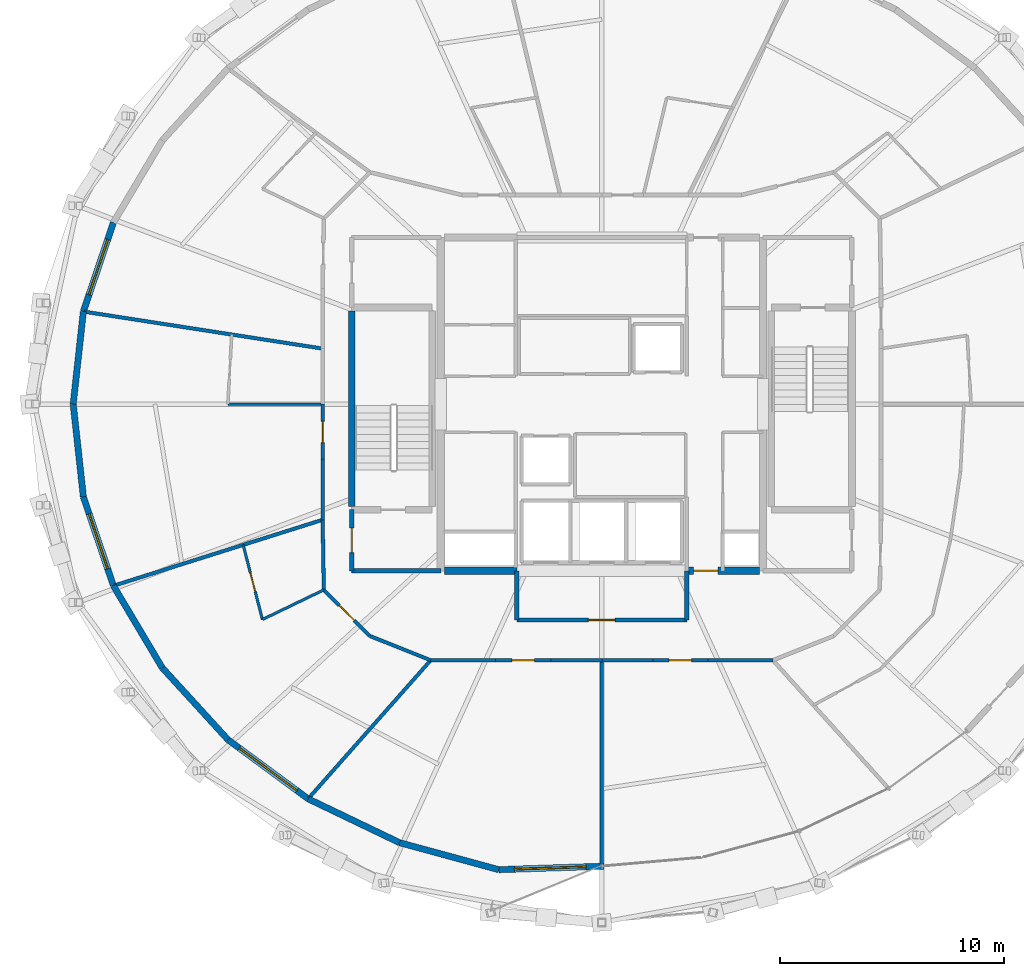
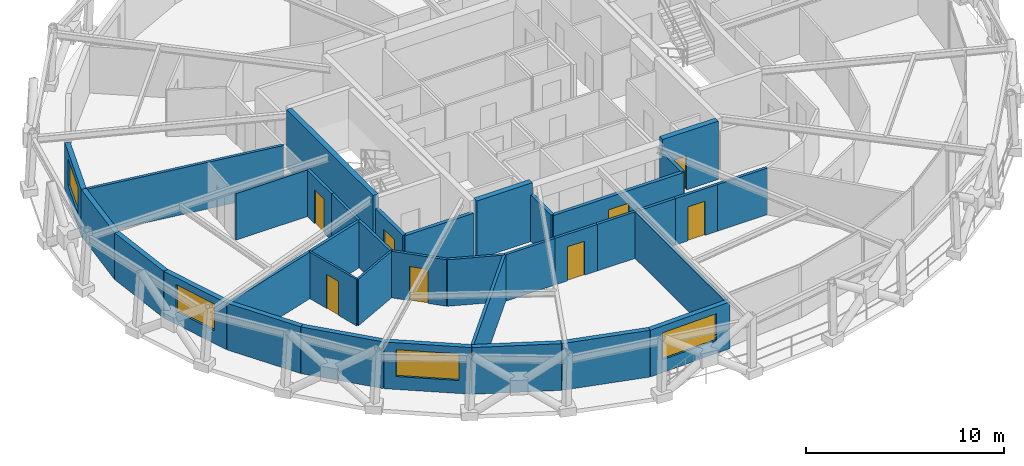
# One storey, part 12 of 17: 36 walls, 8 doors, 4 windows, 12 openings.
"""IFC4 building model written with IfcOpenShell, lengths in metres."""

from ifc_helpers import new_model, si_unit, direction, frame, frame_2d, origin, place, context, subcontext, project, spatial, rectangle, extrude, material, layer, layer_set, type_object, element, fill, save


model = new_model("IFC4")

# Units and contexts
model_context = context("Model", 3, precision=1e-05, world=origin(), true_north=direction((0.0, 1.0)))
body_context = subcontext(model_context, "Body", "Model", "MODEL_VIEW")
ifc_project = project(units=[si_unit("LENGTHUNIT", "METRE"), si_unit("AREAUNIT", "SQUARE_METRE"), si_unit("VOLUMEUNIT", "CUBIC_METRE"), si_unit("PLANEANGLEUNIT", "RADIAN"), si_unit("MASSUNIT", "GRAM", prefix="KILO")], contexts=[model_context])

# Site, building, storey
site_placement = place(None, origin())
site = spatial("IfcSite", under=ifc_project, at=site_placement, CompositionType="ELEMENT")
building_placement = place(site_placement, origin())
building = spatial("IfcBuilding", under=site, at=building_placement, Name="Veldorina Hangang Commons", CompositionType="ELEMENT")
storey_placement = place(building_placement, frame((0.0, 0.0, 214.800048828125)))
storey = spatial("IfcBuildingStorey", under=building, at=storey_placement, Name="L55", CompositionType="ELEMENT", Elevation=214.800048828125)

# Wall
ifc_material_1 = material(Name="Concrete C50/60", Category="concrete")
ifc_layer_1 = layer(ifc_material_1, 0.320068359375)
ifc_layer_set_1 = layer_set([ifc_layer_1], Name="Concrete C50/60")
wall_type_1 = type_object("IfcWallType", Name="CW-RC320-C50", PredefinedType="SHEAR", material=ifc_layer_set_1)
wall_1_placement = place(storey_placement, frame((24.9599609375, 16.550048828125, 0.0), z_axis=(0.0, 0.0, 1.0), x_axis=(1.0, 0.0, 0.0)))
element("IfcWall", 1, at=wall_1_placement, inside=storey, type_object=wall_type_1, Name="L55 south-west core shear wall", PredefinedType="SHEAR", context=body_context, shape_type="SweptSolid", body=[
    extrude(rectangle(XDim=3.239990234375, YDim=0.320068359375, at=frame_2d((1.6201171875, 0.0))), origin(), (0.0, 0.0, 1.0), 3.599853515625),
])

# Wall, opening, door
wall_2_placement = place(storey_placement, frame((35.800048828125, 16.550048828125, 0.0), z_axis=(0.0, 0.0, 1.0), x_axis=(1.0, 0.0, 0.0)))
wall_2 = element("IfcWall", 2, at=wall_2_placement, inside=storey, type_object=wall_type_1, Name="L55 south-east core shear wall", PredefinedType="SHEAR", context=body_context, shape_type="SweptSolid", body=[
    extrude(rectangle(XDim=3.239990234375, YDim=0.320068359375, at=frame_2d((1.6201171875, 0.0))), origin(), (0.0, 0.0, 1.0), 3.599853515625),
])
opening_1_placement = place(wall_2_placement, frame((0.300048828125, 0.0, 0.0)))
opening_1 = element("IfcOpeningElement", 3, at=opening_1_placement, cuts=wall_2, Name="Opening D-08", PredefinedType="OPENING", context=body_context, shape_type="SweptSolid", body=[
    extrude(rectangle(XDim=1.10009765625, YDim=2.10009765625, at=frame_2d((0.550048828125, 1.050048828125))), frame((0.0, 0.169921875, 0.0), z_axis=(0.0, -1.0, 0.0), x_axis=(1.0, 0.0, 0.0)), (0.0, 0.0, 1.0), 0.340087890625),
])
ifc_material_2 = material(Name="Steel Fire-Rated Smoke Seal", Category="steel")
door_type_1 = type_object("IfcDoorType", Name="DR-FIRE-1100", OperationType="SINGLE_SWING_RIGHT", PredefinedType="DOOR", material=ifc_material_2)
door_1_placement = place(opening_1_placement, origin())
door_1 = element("IfcDoor", 4, at=door_1_placement, inside=storey, type_object=door_type_1, Name="L55 central lift lobby south corridor door", OperationType="SINGLE_SWING_RIGHT", OverallHeight=2.10009765625, OverallWidth=1.10009765625, PredefinedType="DOOR", context=body_context, shape_type="SweptSolid", body=[
    extrude(rectangle(XDim=1.10009765625, YDim=2.10009765625, at=frame_2d((0.550048828125, 1.050048828125))), frame((0.0, 0.02490234375, 0.0), z_axis=(0.0, -1.0, 0.0), x_axis=(1.0, 0.0, 0.0)), (0.0, 0.0, 1.0), 0.050048828125),
])
fill(opening_1, door_1)

# Wall, opening, window
ifc_material_3 = material(Name="Stone Roman Travertine", Category="masonry")
ifc_layer_2 = layer(ifc_material_3, 0.280029296875)
ifc_layer_set_2 = layer_set([ifc_layer_2], Name="Stone Roman Travertine")
wall_type_2 = type_object("IfcWallType", Name="EW-TRAV-280", PredefinedType="STANDARD", material=ifc_layer_set_2)
wall_3_placement = place(storey_placement, frame((10.168701171875, 32.1201171875, 0.0), z_axis=(0.0, 0.0, 1.0), x_axis=(-0.320060327551, -0.947397164197, 0.0)))
wall_3 = element("IfcWall", 5, at=wall_3_placement, inside=storey, type_object=wall_type_2, Name="L55 travertine facade wall 14", PredefinedType="STANDARD", context=body_context, shape_type="SweptSolid", body=[
    extrude(rectangle(XDim=4.201416015625, YDim=0.280029296875, at=frame_2d((2.1005859375, 0.0))), origin(), (0.0, 0.0, 1.0), 2.8798828125),
])
opening_2_placement = place(wall_3_placement, frame((0.80078125, 0.0, 0.800048828125)))
opening_2 = element("IfcOpeningElement", 6, at=opening_2_placement, cuts=wall_3, Name="Opening W-02", PredefinedType="OPENING", context=body_context, shape_type="SweptSolid", body=[
    extrude(rectangle(XDim=2.60009765625, YDim=1.64990234375, at=frame_2d((1.300048828125, 0.824951171875))), frame((0.0, 0.14990234375, 0.0), z_axis=(0.0, -1.0, 0.0), x_axis=(1.0, 0.0, 0.0)), (0.0, 0.0, 1.0), 0.300048828125),
])
ifc_material_4 = material(Name="Glass Low-E Triple IGU", Category="glass")
window_type_1 = type_object("IfcWindowType", Name="WIN-TWR-2600", PartitioningType="SINGLE_PANEL", PredefinedType="WINDOW", material=ifc_material_4)
window_1_placement = place(opening_2_placement, origin())
window_1 = element("IfcWindow", 7, at=window_1_placement, inside=storey, type_object=window_type_1, Name="L55 facade window 14", OverallHeight=1.64990234375, OverallWidth=2.60009765625, PartitioningType="SINGLE_PANEL", PredefinedType="WINDOW", context=body_context, shape_type="SweptSolid", body=[
    extrude(rectangle(XDim=2.60009765625, YDim=1.64990234375, at=frame_2d((1.300048828125, 0.824951171875))), frame((0.0, 0.030029296875, 0.0), z_axis=(0.0, -1.0, 0.0), x_axis=(1.0, 0.0, 0.0)), (0.0, 0.0, 1.0), 0.06005859375),
])
fill(opening_2, window_1)

# Walls
for number, where, z_axis, x_axis, name in (
    (8, (8.823974609375, 28.1396484375, 0.0), (0.0, 0.0, 1.0), (-0.108983660244, -0.994043541199, 0.0), "L55 travertine facade wall 15"),
    (9, (8.3701171875, 24.0, 0.0), (0.0, 0.0, 1.0), (0.108983660244, -0.994043541199, 0.0), "L55 travertine facade wall 16"),
):
    element("IfcWall", number, at=place(storey_placement, frame(where, z_axis=z_axis, x_axis=x_axis)), inside=storey, type_object=wall_type_2, Name=name, PredefinedType="STANDARD", context=body_context, shape_type="SweptSolid", body=[
        extrude(rectangle(XDim=4.16455078125, YDim=0.280029296875, at=frame_2d((2.082275390625, 0.0))), origin(), (0.0, 0.0, 1.0), 2.8798828125),
    ])

# Wall, opening, window
wall_4_placement = place(storey_placement, frame((8.823974609375, 19.8603515625, 0.0), z_axis=(0.0, 0.0, 1.0), x_axis=(0.320060327551, -0.947397164197, 0.0)))
wall_4 = element("IfcWall", 10, at=wall_4_placement, inside=storey, type_object=wall_type_2, Name="L55 travertine facade wall 17", PredefinedType="STANDARD", context=body_context, shape_type="SweptSolid", body=[
    extrude(rectangle(XDim=4.201416015625, YDim=0.280029296875, at=frame_2d((2.1005859375, 0.0))), origin(), (0.0, 0.0, 1.0), 2.8798828125),
])
opening_3_placement = place(wall_4_placement, frame((0.80078125, 0.0, 0.800048828125)))
opening_3 = element("IfcOpeningElement", 11, at=opening_3_placement, cuts=wall_4, Name="Opening W-02", PredefinedType="OPENING", context=body_context, shape_type="SweptSolid", body=[
    extrude(rectangle(XDim=2.60009765625, YDim=1.64990234375, at=frame_2d((1.300048828125, 0.824951171875))), frame((0.0, 0.14990234375, 0.0), z_axis=(0.0, -1.0, 0.0), x_axis=(1.0, 0.0, 0.0)), (0.0, 0.0, 1.0), 0.300048828125),
])
window_2_placement = place(opening_3_placement, origin())
window_2 = element("IfcWindow", 12, at=window_2_placement, inside=storey, type_object=window_type_1, Name="L55 facade window 17", OverallHeight=1.64990234375, OverallWidth=2.60009765625, PartitioningType="SINGLE_PANEL", PredefinedType="WINDOW", context=body_context, shape_type="SweptSolid", body=[
    extrude(rectangle(XDim=2.60009765625, YDim=1.64990234375, at=frame_2d((1.300048828125, 0.824951171875))), frame((0.0, 0.030029296875, 0.0), z_axis=(0.0, -1.0, 0.0), x_axis=(1.0, 0.0, 0.0)), (0.0, 0.0, 1.0), 0.06005859375),
])
fill(opening_3, window_2)

# Walls
wall_5_placement = place(storey_placement, frame((10.168701171875, 15.8798828125, 0.0), z_axis=(0.0, 0.0, 1.0), x_axis=(0.511481849, -0.859294081292, 0.0)))
element("IfcWall", 13, at=wall_5_placement, inside=storey, type_object=wall_type_2, Name="L55 travertine facade wall 18", PredefinedType="STANDARD", context=body_context, shape_type="SweptSolid", body=[
    extrude(rectangle(XDim=4.26904296875, YDim=0.280029296875, at=frame_2d((2.134521484375, 0.0))), origin(), (0.0, 0.0, 1.0), 2.8798828125),
])
wall_6_placement = place(storey_placement, frame((12.352294921875, 12.21142578125, 0.0), z_axis=(0.0, 0.0, 1.0), x_axis=(0.674642715371, -0.73814443478, 0.0)))
element("IfcWall", 14, at=wall_6_placement, inside=storey, type_object=wall_type_2, Name="L55 travertine facade wall 19", PredefinedType="STANDARD", context=body_context, shape_type="SweptSolid", body=[
    extrude(rectangle(XDim=4.35595703125, YDim=0.280029296875, at=frame_2d((2.177978515625, 0.0))), origin(), (0.0, 0.0, 1.0), 2.8798828125),
])

# Wall, opening, window
wall_7_placement = place(storey_placement, frame((15.291015625, 8.99609375, 0.0), z_axis=(0.0, 0.0, 1.0), x_axis=(0.8050103103, -0.593260819801, 0.0)))
wall_7 = element("IfcWall", 15, at=wall_7_placement, inside=storey, type_object=wall_type_2, Name="L55 travertine facade wall 20", PredefinedType="STANDARD", context=body_context, shape_type="SweptSolid", body=[
    extrude(rectangle(XDim=4.4482421875, YDim=0.280029296875, at=frame_2d((2.22412109375, 0.0))), origin(), (0.0, 0.0, 1.0), 2.8798828125),
])
opening_4_placement = place(wall_7_placement, frame((0.6240234375, 0.0, 0.800048828125)))
opening_4 = element("IfcOpeningElement", 16, at=opening_4_placement, cuts=wall_7, Name="Opening W-01", PredefinedType="OPENING", context=body_context, shape_type="SweptSolid", body=[
    extrude(rectangle(XDim=3.199951171875, YDim=1.64990234375, at=frame_2d((1.60009765625, 0.824951171875))), frame((0.0, 0.14990234375, 0.0), z_axis=(0.0, -1.0, 0.0), x_axis=(1.0, 0.0, 0.0)), (0.0, 0.0, 1.0), 0.300048828125),
])
window_type_2 = type_object("IfcWindowType", Name="WIN-TWR-3200", PartitioningType="SINGLE_PANEL", PredefinedType="WINDOW", material=ifc_material_4)
window_3_placement = place(opening_4_placement, origin())
window_3 = element("IfcWindow", 17, at=window_3_placement, inside=storey, type_object=window_type_2, Name="L55 facade window 20", OverallHeight=1.64990234375, OverallWidth=3.199951171875, PartitioningType="SINGLE_PANEL", PredefinedType="WINDOW", context=body_context, shape_type="SweptSolid", body=[
    extrude(rectangle(XDim=3.199951171875, YDim=1.64990234375, at=frame_2d((1.60009765625, 0.824951171875))), frame((0.0, 0.030029296875, 0.0), z_axis=(0.0, -1.0, 0.0), x_axis=(1.0, 0.0, 0.0)), (0.0, 0.0, 1.0), 0.06005859375),
])
fill(opening_4, window_3)

# Walls
wall_8_placement = place(storey_placement, frame((18.871826171875, 6.357177734375, 0.0), z_axis=(0.0, 0.0, 1.0), x_axis=(0.90155079899, -0.432673267999, 0.0)))
element("IfcWall", 18, at=wall_8_placement, inside=storey, type_object=wall_type_2, Name="L55 travertine facade wall 21", PredefinedType="STANDARD", context=body_context, shape_type="SweptSolid", body=[
    extrude(rectangle(XDim=4.531494140625, YDim=0.280029296875, at=frame_2d((2.265625, 0.0))), origin(), (0.0, 0.0, 1.0), 2.8798828125),
])
wall_9_placement = place(storey_placement, frame((22.957275390625, 4.396484375, 0.0), z_axis=(0.0, 0.0, 1.0), x_axis=(0.964839814396, -0.26283860553, 0.0)))
element("IfcWall", 19, at=wall_9_placement, inside=storey, type_object=wall_type_2, Name="L55 travertine facade wall 22", PredefinedType="STANDARD", context=body_context, shape_type="SweptSolid", body=[
    extrude(rectangle(XDim=4.59423828125, YDim=0.280029296875, at=frame_2d((2.297119140625, 0.0))), origin(), (0.0, 0.0, 1.0), 2.8798828125),
])

# Wall, opening, window
wall_10_placement = place(storey_placement, frame((27.389892578125, 3.18896484375, 0.0), z_axis=(0.0, 0.0, 1.0), x_axis=(0.9994551691, 0.033005529236, 0.0)))
wall_10 = element("IfcWall", 20, at=wall_10_placement, inside=storey, type_object=wall_type_2, Name="L55 travertine facade wall 23", PredefinedType="STANDARD", context=body_context, shape_type="SweptSolid", body=[
    extrude(rectangle(XDim=4.704345703125, YDim=0.280029296875, at=frame_2d((2.35205078125, 0.0))), origin(), (0.0, 0.0, 1.0), 2.8798828125),
])
opening_5_placement = place(wall_10_placement, frame((0.706298828125, 0.0, 0.800048828125)))
opening_5 = element("IfcOpeningElement", 21, at=opening_5_placement, cuts=wall_10, Name="Opening W-01", PredefinedType="OPENING", context=body_context, shape_type="SweptSolid", body=[
    extrude(rectangle(XDim=3.199951171875, YDim=1.64990234375, at=frame_2d((1.60009765625, 0.824951171875))), frame((0.0, 0.14990234375, 0.0), z_axis=(0.0, -1.0, 0.0), x_axis=(1.0, 0.0, 0.0)), (0.0, 0.0, 1.0), 0.300048828125),
])
window_4_placement = place(opening_5_placement, origin())
window_4 = element("IfcWindow", 22, at=window_4_placement, inside=storey, type_object=window_type_2, Name="L55 facade window 23", OverallHeight=1.64990234375, OverallWidth=3.199951171875, PartitioningType="SINGLE_PANEL", PredefinedType="WINDOW", context=body_context, shape_type="SweptSolid", body=[
    extrude(rectangle(XDim=3.199951171875, YDim=1.64990234375, at=frame_2d((1.60009765625, 0.824951171875))), frame((0.0, 0.030029296875, 0.0), z_axis=(0.0, -1.0, 0.0), x_axis=(1.0, 0.0, 0.0)), (0.0, 0.0, 1.0), 0.06005859375),
])
fill(opening_5, window_4)

# Wall
ifc_layer_3 = layer(ifc_material_1, 0.300048828125)
ifc_layer_set_3 = layer_set([ifc_layer_3], Name="Concrete C50/60")
wall_type_3 = type_object("IfcWallType", Name="SW-STAIR-300", PredefinedType="SHEAR", material=ifc_layer_set_3)
wall_11_placement = place(storey_placement, frame((20.820068359375, 19.429931640625, 0.0), z_axis=(0.0, 0.0, 1.0), x_axis=(0.0, 1.0, 0.0)))
element("IfcWall", 23, at=wall_11_placement, inside=storey, type_object=wall_type_3, Name="L55 ST1 outer stair shear wall", PredefinedType="SHEAR", context=body_context, shape_type="SweptSolid", body=[
    extrude(rectangle(XDim=8.739990234375, YDim=0.300048828125, at=frame_2d((4.3701171875, 0.0))), origin(), (0.0, 0.0, 1.0), 3.599853515625),
])

# Wall, opening, door
ifc_material_5 = material(Name="Gypsum Fire-Rated Twin Stud Wall", Category="gypsum")
ifc_layer_4 = layer(ifc_material_5, 0.159912109375)
ifc_layer_set_4 = layer_set([ifc_layer_4], Name="Gypsum Fire-Rated Twin Stud Wall")
wall_type_4 = type_object("IfcWallType", Name="WL-FIRE-160", PredefinedType="SOLIDWALL", material=ifc_layer_set_4)
wall_12_placement = place(storey_placement, frame((19.52001953125, 24.0, 0.0), z_axis=(0.0, 0.0, 1.0), x_axis=(0.0, -1.0, 0.0)))
wall_12 = element("IfcWall", 24, at=wall_12_placement, inside=storey, type_object=wall_type_4, Name="L55 Compact collar outer wall 16 068", PredefinedType="SOLIDWALL", context=body_context, shape_type="SweptSolid", body=[
    extrude(rectangle(XDim=2.482421875, YDim=0.159912109375, at=frame_2d((1.2412109375, 0.0))), origin(), (0.0, 0.0, 1.0), 2.869873046875),
])
opening_6_placement = place(wall_12_placement, frame((0.76611328125, 0.0, 0.0)))
opening_6 = element("IfcOpeningElement", 25, at=opening_6_placement, cuts=wall_12, Name="Opening D-03", PredefinedType="OPENING", context=body_context, shape_type="SweptSolid", body=[
    extrude(rectangle(XDim=0.949951171875, YDim=2.10009765625, at=frame_2d((0.47509765625, 1.050048828125))), frame((0.0, 0.08984375, 0.0), z_axis=(0.0, -1.0, 0.0), x_axis=(1.0, 0.0, 0.0)), (0.0, 0.0, 1.0), 0.179931640625),
])
ifc_material_6 = material(Name="Timber Fire-Rated Entrance Core", Category="wood")
door_type_2 = type_object("IfcDoorType", Name="DR-UNIT-950", OperationType="SINGLE_SWING_RIGHT", PredefinedType="DOOR", material=ifc_material_6)
door_2_placement = place(opening_6_placement, origin())
door_2 = element("IfcDoor", 26, at=door_2_placement, inside=storey, type_object=door_type_2, Name="L55 Studio 7 entrance door 033", OperationType="SINGLE_SWING_LEFT", OverallHeight=2.10009765625, OverallWidth=0.949951171875, PredefinedType="DOOR", context=body_context, shape_type="SweptSolid", body=[
    extrude(rectangle(XDim=0.949951171875, YDim=2.10009765625, at=frame_2d((0.47509765625, 1.050048828125))), frame((0.0, 0.02490234375, 0.0), z_axis=(0.0, -1.0, 0.0), x_axis=(1.0, 0.0, 0.0)), (0.0, 0.0, 1.0), 0.050048828125),
])
fill(opening_6, door_2)

# Walls
wall_13_placement = place(storey_placement, frame((19.52001953125, 21.517578125, 0.0), z_axis=(0.0, 0.0, 1.0), x_axis=(0.0, -1.0, 0.0)))
element("IfcWall", 27, at=wall_13_placement, inside=storey, type_object=wall_type_4, Name="L55 Compact collar outer wall 17 069", PredefinedType="SOLIDWALL", context=body_context, shape_type="SweptSolid", body=[
    extrude(rectangle(XDim=2.68701171875, YDim=0.159912109375, at=frame_2d((1.343505859375, 0.0))), origin(), (0.0, 0.0, 1.0), 2.869873046875),
])
wall_14_placement = place(storey_placement, frame((19.52001953125, 18.83056640625, 0.0), z_axis=(0.0, 0.0, 1.0), x_axis=(0.016981035134, -0.999855811828, 0.0)))
element("IfcWall", 28, at=wall_14_placement, inside=storey, type_object=wall_type_4, Name="L55 Compact collar outer wall 18 070", PredefinedType="SOLIDWALL", context=body_context, shape_type="SweptSolid", body=[
    extrude(rectangle(XDim=3.13427734375, YDim=0.159912109375, at=frame_2d((1.567138671875, 0.0))), origin(), (0.0, 0.0, 1.0), 2.869873046875),
])

# Wall, opening, door
wall_15_placement = place(storey_placement, frame((19.5732421875, 15.69677734375, 0.0), z_axis=(0.0, 0.0, 1.0), x_axis=(0.707106781187, -0.707106781187, 0.0)))
wall_15 = element("IfcWall", 29, at=wall_15_placement, inside=storey, type_object=wall_type_4, Name="L55 Compact collar outer wall 19 071", PredefinedType="SOLIDWALL", context=body_context, shape_type="SweptSolid", body=[
    extrude(rectangle(XDim=2.915771484375, YDim=0.159912109375, at=frame_2d((1.4580078125, 0.0))), origin(), (0.0, 0.0, 1.0), 2.869873046875),
])
opening_7_placement = place(wall_15_placement, frame((0.98291015625, 0.0, 0.0)))
opening_7 = element("IfcOpeningElement", 30, at=opening_7_placement, cuts=wall_15, Name="Opening D-03", PredefinedType="OPENING", context=body_context, shape_type="SweptSolid", body=[
    extrude(rectangle(XDim=0.949951171875, YDim=2.10009765625, at=frame_2d((0.47509765625, 1.050048828125))), frame((0.0, 0.08984375, 0.0), z_axis=(0.0, -1.0, 0.0), x_axis=(1.0, 0.0, 0.0)), (0.0, 0.0, 1.0), 0.179931640625),
])
door_3_placement = place(opening_7_placement, origin())
door_3 = element("IfcDoor", 31, at=door_3_placement, inside=storey, type_object=door_type_2, Name="L55 Studio 8 entrance door 035", OperationType="SINGLE_SWING_LEFT", OverallHeight=2.10009765625, OverallWidth=0.949951171875, PredefinedType="DOOR", context=body_context, shape_type="SweptSolid", body=[
    extrude(rectangle(XDim=0.949951171875, YDim=2.10009765625, at=frame_2d((0.47509765625, 1.050048828125))), frame((0.0, 0.02490234375, 0.0), z_axis=(0.0, -1.0, 0.0), x_axis=(1.0, 0.0, 0.0)), (0.0, 0.0, 1.0), 0.050048828125),
])
fill(opening_7, door_3)

# Walls
wall_16_placement = place(storey_placement, frame((21.635009765625, 13.635009765625, 0.0), z_axis=(0.0, 0.0, 1.0), x_axis=(0.92856882165, -0.371160266542, 0.0)))
element("IfcWall", 32, at=wall_16_placement, inside=storey, type_object=wall_type_4, Name="L55 Compact collar outer wall 20 072", PredefinedType="SOLIDWALL", context=body_context, shape_type="SweptSolid", body=[
    extrude(rectangle(XDim=2.923095703125, YDim=0.159912109375, at=frame_2d((1.46142578125, 0.0))), origin(), (0.0, 0.0, 1.0), 2.869873046875),
])
wall_17_placement = place(storey_placement, frame((24.349365234375, 12.550048828125, 0.0), z_axis=(0.0, 0.0, 1.0), x_axis=(1.0, 0.0, 0.0)))
element("IfcWall", 33, at=wall_17_placement, inside=storey, type_object=wall_type_4, Name="L55 Compact collar outer wall 21 073", PredefinedType="SOLIDWALL", context=body_context, shape_type="SweptSolid", body=[
    extrude(rectangle(XDim=2.907958984375, YDim=0.159912109375, at=frame_2d((1.4541015625, 0.0))), origin(), (0.0, 0.0, 1.0), 2.869873046875),
])

# Wall, opening, door
wall_18_placement = place(storey_placement, frame((27.25732421875, 12.550048828125, 0.0), z_axis=(0.0, 0.0, 1.0), x_axis=(1.0, 0.0, 0.0)))
wall_18 = element("IfcWall", 34, at=wall_18_placement, inside=storey, type_object=wall_type_4, Name="L55 Compact collar outer wall 22 074", PredefinedType="SOLIDWALL", context=body_context, shape_type="SweptSolid", body=[
    extrude(rectangle(XDim=2.465087890625, YDim=0.159912109375, at=frame_2d((1.232421875, 0.0))), origin(), (0.0, 0.0, 1.0), 2.869873046875),
])
opening_8_placement = place(wall_18_placement, frame((0.732666015625, 0.0, 0.0)))
opening_8 = element("IfcOpeningElement", 35, at=opening_8_placement, cuts=wall_18, Name="Opening D-05", PredefinedType="OPENING", context=body_context, shape_type="SweptSolid", body=[
    extrude(rectangle(XDim=1.0, YDim=2.10009765625, at=frame_2d((0.5, 1.050048828125))), frame((0.0, 0.08984375, 0.0), z_axis=(0.0, -1.0, 0.0), x_axis=(1.0, 0.0, 0.0)), (0.0, 0.0, 1.0), 0.179931640625),
])
ifc_material_7 = material(Name="Timber Solid Core Acoustic", Category="wood")
door_type_3 = type_object("IfcDoorType", Name="DR-INT-1000", OperationType="SINGLE_SWING_RIGHT", PredefinedType="DOOR", material=ifc_material_7)
door_4_placement = place(opening_8_placement, origin())
door_4 = element("IfcDoor", 36, at=door_4_placement, inside=storey, type_object=door_type_3, Name="L55 Floor Study Room 9 door 036", OperationType="SINGLE_SWING_RIGHT", OverallHeight=2.10009765625, OverallWidth=1.0, PredefinedType="DOOR", context=body_context, shape_type="SweptSolid", body=[
    extrude(rectangle(XDim=1.0, YDim=2.10009765625, at=frame_2d((0.5, 1.050048828125))), frame((0.0, 0.02490234375, 0.0), z_axis=(0.0, -1.0, 0.0), x_axis=(1.0, 0.0, 0.0)), (0.0, 0.0, 1.0), 0.050048828125),
])
fill(opening_8, door_4)

# Walls
for number, where, z_axis, x_axis, name in (
    (37, (29.722412109375, 12.550048828125, 0.0), (0.0, 0.0, 1.0), (1.0, 0.0, 0.0), "L55 Compact collar outer wall 23 075"),
    (38, (32.0, 12.550048828125, 0.0), (0.0, 0.0, 1.0), (1.0, 0.0, 0.0), "L55 Compact collar outer wall 24 076"),
):
    element("IfcWall", number, at=place(storey_placement, frame(where, z_axis=z_axis, x_axis=x_axis)), inside=storey, type_object=wall_type_4, Name=name, PredefinedType="SOLIDWALL", context=body_context, shape_type="SweptSolid", body=[
        extrude(rectangle(XDim=2.277587890625, YDim=0.159912109375, at=frame_2d((1.138671875, 0.0))), origin(), (0.0, 0.0, 1.0), 2.869873046875),
    ])

# Wall, opening, door
wall_19_placement = place(storey_placement, frame((34.277587890625, 12.550048828125, 0.0), z_axis=(0.0, 0.0, 1.0), x_axis=(1.0, 0.0, 0.0)))
wall_19 = element("IfcWall", 39, at=wall_19_placement, inside=storey, type_object=wall_type_4, Name="L55 Compact collar outer wall 25 077", PredefinedType="SOLIDWALL", context=body_context, shape_type="SweptSolid", body=[
    extrude(rectangle(XDim=2.465087890625, YDim=0.159912109375, at=frame_2d((1.232421875, 0.0))), origin(), (0.0, 0.0, 1.0), 2.869873046875),
])
opening_9_placement = place(wall_19_placement, frame((0.732666015625, 0.0, 0.0)))
opening_9 = element("IfcOpeningElement", 40, at=opening_9_placement, cuts=wall_19, Name="Opening D-05", PredefinedType="OPENING", context=body_context, shape_type="SweptSolid", body=[
    extrude(rectangle(XDim=1.0, YDim=2.10009765625, at=frame_2d((0.5, 1.050048828125))), frame((0.0, 0.08984375, 0.0), z_axis=(0.0, -1.0, 0.0), x_axis=(1.0, 0.0, 0.0)), (0.0, 0.0, 1.0), 0.179931640625),
])
door_5_placement = place(opening_9_placement, origin())
door_5 = element("IfcDoor", 41, at=door_5_placement, inside=storey, type_object=door_type_3, Name="L55 Seminar Focus Room 10 door 037", OperationType="SINGLE_SWING_LEFT", OverallHeight=2.10009765625, OverallWidth=1.0, PredefinedType="DOOR", context=body_context, shape_type="SweptSolid", body=[
    extrude(rectangle(XDim=1.0, YDim=2.10009765625, at=frame_2d((0.5, 1.050048828125))), frame((0.0, 0.02490234375, 0.0), z_axis=(0.0, -1.0, 0.0), x_axis=(1.0, 0.0, 0.0)), (0.0, 0.0, 1.0), 0.050048828125),
])
fill(opening_9, door_5)

# Walls
wall_20_placement = place(storey_placement, frame((36.74267578125, 12.550048828125, 0.0), z_axis=(0.0, 0.0, 1.0), x_axis=(1.0, 0.0, 0.0)))
element("IfcWall", 42, at=wall_20_placement, inside=storey, type_object=wall_type_4, Name="L55 Compact collar outer wall 26 078", PredefinedType="SOLIDWALL", context=body_context, shape_type="SweptSolid", body=[
    extrude(rectangle(XDim=2.907958984375, YDim=0.159912109375, at=frame_2d((1.4541015625, 0.0))), origin(), (0.0, 0.0, 1.0), 2.869873046875),
])
wall_21_placement = place(storey_placement, frame((19.52001953125, 26.482421875, 0.0), z_axis=(0.0, 0.0, 1.0), x_axis=(-0.988211347905, 0.15309582578, 0.0)))
element("IfcWall", 43, at=wall_21_placement, inside=storey, type_object=wall_type_4, Name="L55 Unit party wall 15 105", PredefinedType="SOLIDWALL", context=body_context, shape_type="SweptSolid", body=[
    extrude(rectangle(XDim=10.773681640625, YDim=0.159912109375, at=frame_2d((5.38671875, 0.0))), origin(), (0.0, 0.0, 1.0), 2.869873046875),
])
wall_22_placement = place(storey_placement, frame((19.52001953125, 18.83056640625, 0.0), z_axis=(0.0, 0.0, 1.0), x_axis=(-0.953655254227, -0.300901405921, 0.0)))
element("IfcWall", 44, at=wall_22_placement, inside=storey, type_object=wall_type_4, Name="L55 Unit party wall 18 108", PredefinedType="SOLIDWALL", context=body_context, shape_type="SweptSolid", body=[
    extrude(rectangle(XDim=9.755859375, YDim=0.159912109375, at=frame_2d((4.8779296875, 0.0))), origin(), (0.0, 0.0, 1.0), 2.869873046875),
])
wall_23_placement = place(storey_placement, frame((24.349365234375, 12.550048828125, 0.0), z_axis=(0.0, 0.0, 1.0), x_axis=(-0.662525161909, -0.749039658388, 0.0)))
element("IfcWall", 45, at=wall_23_placement, inside=storey, type_object=wall_type_4, Name="L55 Unit party wall 21 111", PredefinedType="SOLIDWALL", context=body_context, shape_type="SweptSolid", body=[
    extrude(rectangle(XDim=8.217529296875, YDim=0.159912109375, at=frame_2d((4.10888671875, 0.0))), origin(), (0.0, 0.0, 1.0), 2.869873046875),
])
wall_24_placement = place(storey_placement, frame((32.0, 12.550048828125, 0.0), z_axis=(0.0, 0.0, 1.0), x_axis=(0.0, -1.0, 0.0)))
element("IfcWall", 46, at=wall_24_placement, inside=storey, type_object=wall_type_4, Name="L55 Unit party wall 24 112", PredefinedType="SOLIDWALL", context=body_context, shape_type="SweptSolid", body=[
    extrude(rectangle(XDim=9.158935546875, YDim=0.159912109375, at=frame_2d((4.57958984375, 0.0))), origin(), (0.0, 0.0, 1.0), 2.869873046875),
])

# Wall, opening, door
ifc_material_8 = material(Name="Concrete Blockwork Fire Wall C30/37", Category="masonry")
ifc_layer_5 = layer(ifc_material_8, 0.199951171875)
ifc_layer_set_5 = layer_set([ifc_layer_5], Name="Concrete Blockwork Fire Wall C30/37")
wall_type_5 = type_object("IfcWallType", Name="WL-FIRE-200", PredefinedType="SOLIDWALL", material=ifc_layer_set_5)
wall_25_placement = place(storey_placement, frame((20.820068359375, 16.550048828125, 0.0), z_axis=(0.0, 0.0, 1.0), x_axis=(0.0, 1.0, 0.0)))
wall_25 = element("IfcWall", 47, at=wall_25_placement, inside=storey, type_object=wall_type_5, Name="L55 West vestibule outer wall 001", PredefinedType="SOLIDWALL", context=body_context, shape_type="SweptSolid", body=[
    extrude(rectangle(XDim=2.72998046875, YDim=0.199951171875, at=frame_2d((1.364990234375, 0.0))), origin(), (0.0, 0.0, 1.0), 2.869873046875),
])
opening_10_placement = place(wall_25_placement, frame((0.81494140625, 0.0, 0.0)))
opening_10 = element("IfcOpeningElement", 48, at=opening_10_placement, cuts=wall_25, Name="Opening D-08", PredefinedType="OPENING", context=body_context, shape_type="SweptSolid", body=[
    extrude(rectangle(XDim=1.10009765625, YDim=2.10009765625, at=frame_2d((0.550048828125, 1.050048828125))), frame((0.0, 0.10986328125, 0.0), z_axis=(0.0, -1.0, 0.0), x_axis=(1.0, 0.0, 0.0)), (0.0, 0.0, 1.0), 0.219970703125),
])
door_6_placement = place(opening_10_placement, origin())
door_6 = element("IfcDoor", 49, at=door_6_placement, inside=storey, type_object=door_type_1, Name="L55 West vestibule west door 001", OperationType="SINGLE_SWING_LEFT", OverallHeight=2.10009765625, OverallWidth=1.10009765625, PredefinedType="DOOR", context=body_context, shape_type="SweptSolid", body=[
    extrude(rectangle(XDim=1.10009765625, YDim=2.10009765625, at=frame_2d((0.550048828125, 1.050048828125))), frame((0.0, 0.02490234375, 0.0), z_axis=(0.0, -1.0, 0.0), x_axis=(1.0, 0.0, 0.0)), (0.0, 0.0, 1.0), 0.050048828125),
])
fill(opening_10, door_6)

# Walls
wall_26_placement = place(storey_placement, frame((20.820068359375, 16.550048828125, 0.0), z_axis=(0.0, 0.0, 1.0), x_axis=(1.0, 0.0, 0.0)))
element("IfcWall", 50, at=wall_26_placement, inside=storey, type_object=wall_type_5, Name="L55 West vestibule south wall 002", PredefinedType="SOLIDWALL", context=body_context, shape_type="SweptSolid", body=[
    extrude(rectangle(XDim=3.97998046875, YDim=0.199951171875, at=frame_2d((1.989990234375, 0.0))), origin(), (0.0, 0.0, 1.0), 2.869873046875),
])
for number, where, z_axis, x_axis, name in (
    (51, (28.199951171875, 14.35009765625, 0.0), (0.0, 0.0, 1.0), (0.0, 1.0, 0.0), "L55 FF lobby west wall 012"),
    (52, (35.800048828125, 14.35009765625, 0.0), (0.0, 0.0, 1.0), (0.0, 1.0, 0.0), "L55 FF lobby east wall 013"),
):
    element("IfcWall", number, at=place(storey_placement, frame(where, z_axis=z_axis, x_axis=x_axis)), inside=storey, type_object=wall_type_5, Name=name, PredefinedType="SOLIDWALL", context=body_context, shape_type="SweptSolid", body=[
        extrude(rectangle(XDim=2.199951171875, YDim=0.199951171875, at=frame_2d((1.10009765625, 0.0))), origin(), (0.0, 0.0, 1.0), 2.869873046875),
    ])

# Wall, opening, door
wall_27_placement = place(storey_placement, frame((28.199951171875, 14.35009765625, 0.0), z_axis=(0.0, 0.0, 1.0), x_axis=(1.0, 0.0, 0.0)))
wall_27 = element("IfcWall", 53, at=wall_27_placement, inside=storey, type_object=wall_type_5, Name="L55 FF lobby south wall 014", PredefinedType="SOLIDWALL", context=body_context, shape_type="SweptSolid", body=[
    extrude(rectangle(XDim=7.60009765625, YDim=0.199951171875, at=frame_2d((3.800048828125, 0.0))), origin(), (0.0, 0.0, 1.0), 2.869873046875),
])
opening_11_placement = place(wall_27_placement, frame((3.199951171875, 0.0, 0.0)))
opening_11 = element("IfcOpeningElement", 54, at=opening_11_placement, cuts=wall_27, Name="Opening D-09", PredefinedType="OPENING", context=body_context, shape_type="SweptSolid", body=[
    extrude(rectangle(XDim=1.199951171875, YDim=2.10009765625, at=frame_2d((0.60009765625, 1.050048828125))), frame((0.0, 0.10986328125, 0.0), z_axis=(0.0, -1.0, 0.0), x_axis=(1.0, 0.0, 0.0)), (0.0, 0.0, 1.0), 0.219970703125),
])
ifc_material_9 = material(Name="Steel Fire-Rated Corridor Door", Category="steel")
door_type_4 = type_object("IfcDoorType", Name="DR-FIRE-1200", OperationType="SINGLE_SWING_LEFT", PredefinedType="DOOR", material=ifc_material_9)
door_7_placement = place(opening_11_placement, origin())
door_7 = element("IfcDoor", 55, at=door_7_placement, inside=storey, type_object=door_type_4, Name="L55 FF lobby south corridor door 005", OperationType="SINGLE_SWING_LEFT", OverallHeight=2.10009765625, OverallWidth=1.199951171875, PredefinedType="DOOR", context=body_context, shape_type="SweptSolid", body=[
    extrude(rectangle(XDim=1.199951171875, YDim=2.10009765625, at=frame_2d((0.60009765625, 1.050048828125))), frame((0.0, 0.02490234375, 0.0), z_axis=(0.0, -1.0, 0.0), x_axis=(1.0, 0.0, 0.0)), (0.0, 0.0, 1.0), 0.050048828125),
])
fill(opening_11, door_7)

# Wall
ifc_material_10 = material(Name="Gypsum Acoustic Stud Partition", Category="gypsum")
ifc_layer_6 = layer(ifc_material_10, 0.1201171875)
ifc_layer_set_6 = layer_set([ifc_layer_6], Name="Gypsum Acoustic Stud Partition")
wall_type_6 = type_object("IfcWallType", Name="WL-PART-120", PredefinedType="PARTITIONING", material=ifc_layer_set_6)
wall_28_placement = place(storey_placement, frame((19.52001953125, 24.0, 0.0), z_axis=(0.0, 0.0, 1.0), x_axis=(-1.0, 0.0, 0.0)))
element("IfcWall", 56, at=wall_28_placement, inside=storey, type_object=wall_type_6, Name="L55 Studio 7 bath side wall 107", PredefinedType="PARTITIONING", context=body_context, shape_type="SweptSolid", body=[
    extrude(rectangle(XDim=4.237060546875, YDim=0.1201171875, at=frame_2d((2.11865234375, 0.0))), origin(), (0.0, 0.0, 1.0), 2.869873046875),
])

# Wall, opening, door
wall_29_placement = place(storey_placement, frame((15.966552734375, 17.709228515625, 0.0), z_axis=(0.0, 0.0, 1.0), x_axis=(0.250327875267, -0.968161120302, 0.0)))
wall_29 = element("IfcWall", 57, at=wall_29_placement, inside=storey, type_object=wall_type_6, Name="L55 Studio 8 bath front wall 109", PredefinedType="PARTITIONING", context=body_context, shape_type="SweptSolid", body=[
    extrude(rectangle(XDim=3.446533203125, YDim=0.1201171875, at=frame_2d((1.72314453125, 0.0))), origin(), (0.0, 0.0, 1.0), 2.869873046875),
])
opening_12_placement = place(wall_29_placement, frame((1.29345703125, 0.0, 0.0)))
opening_12 = element("IfcOpeningElement", 58, at=opening_12_placement, cuts=wall_29, Name="Opening D-01", PredefinedType="OPENING", context=body_context, shape_type="SweptSolid", body=[
    extrude(rectangle(XDim=0.860107421875, YDim=2.10009765625, at=frame_2d((0.43017578125, 1.050048828125))), frame((0.0, 0.070068359375, 0.0), z_axis=(0.0, -1.0, 0.0), x_axis=(1.0, 0.0, 0.0)), (0.0, 0.0, 1.0), 0.14013671875),
])
ifc_material_11 = material(Name="Timber Moisture-Resistant Core", Category="wood")
door_type_5 = type_object("IfcDoorType", Name="DR-WET-860", OperationType="SINGLE_SWING_LEFT", PredefinedType="DOOR", material=ifc_material_11)
door_8_placement = place(opening_12_placement, origin())
door_8 = element("IfcDoor", 59, at=door_8_placement, inside=storey, type_object=door_type_5, Name="L55 Studio 8 bathroom door 034", OperationType="SINGLE_SWING_RIGHT", OverallHeight=2.10009765625, OverallWidth=0.860107421875, PredefinedType="DOOR", context=body_context, shape_type="SweptSolid", body=[
    extrude(rectangle(XDim=0.860107421875, YDim=2.10009765625, at=frame_2d((0.43017578125, 1.050048828125))), frame((0.0, 0.02490234375, 0.0), z_axis=(0.0, -1.0, 0.0), x_axis=(1.0, 0.0, 0.0)), (0.0, 0.0, 1.0), 0.050048828125),
])
fill(opening_12, door_8)

# Wall
wall_30_placement = place(storey_placement, frame((19.5732421875, 15.69677734375, 0.0), z_axis=(0.0, 0.0, 1.0), x_axis=(-0.900574352632, -0.434702007565, 0.0)))
element("IfcWall", 60, at=wall_30_placement, inside=storey, type_object=wall_type_6, Name="L55 Studio 8 bath side wall 110", PredefinedType="PARTITIONING", context=body_context, shape_type="SweptSolid", body=[
    extrude(rectangle(XDim=3.046875, YDim=0.1201171875, at=frame_2d((1.5234375, 0.0))), origin(), (0.0, 0.0, 1.0), 2.869873046875),
])

save(model, "model.ifc")
